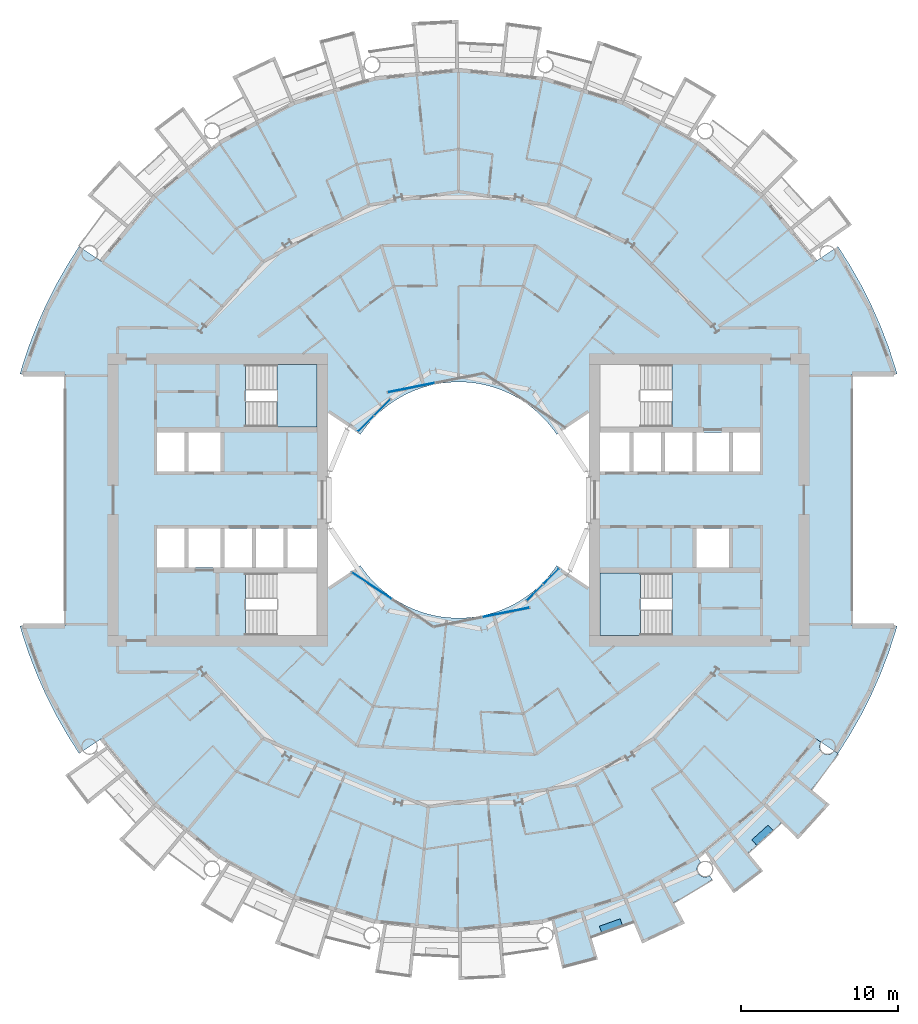
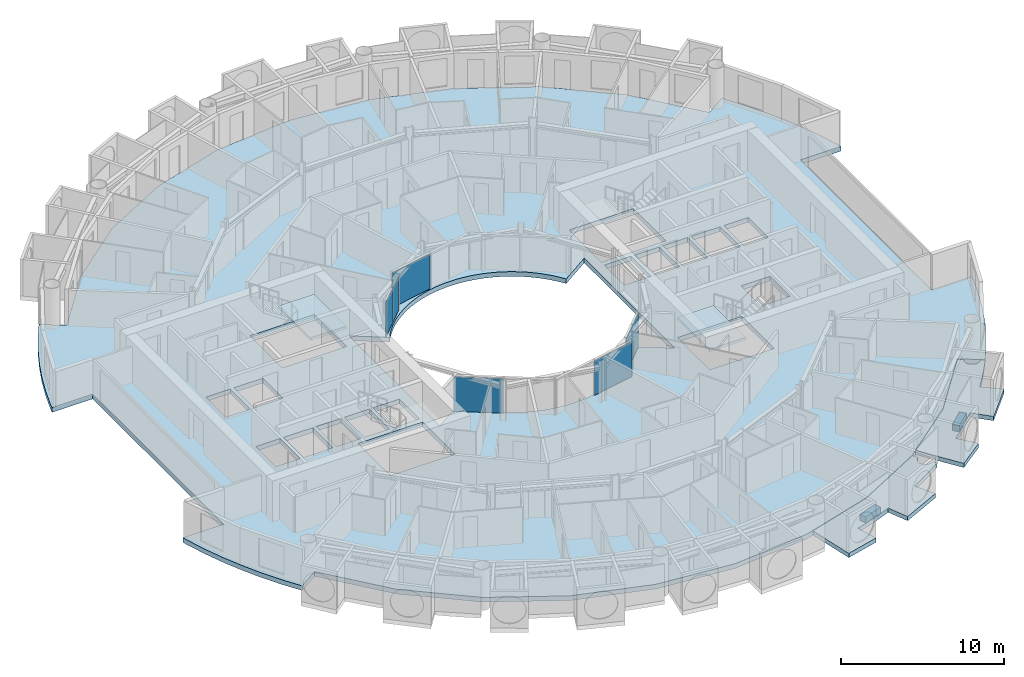
# One storey, part 10 of 26: 7 plates, 7 slabs, 7 elements without a shape of their own.
"""IFC4 building model written with IfcOpenShell, lengths in metres."""

from ifc_helpers import new_model, si_unit, direction, frame, origin, origin_2d, place, context, subcontext, project, spatial, polyline, rectangle, outline, extrude, material, layer, layer_set, type_object, element, aggregate, save


model = new_model("IFC4")

# Units and contexts
model_context = context("Model", 3, precision=1e-05, world=origin(), true_north=direction((0.0, 1.0)))
body_context = subcontext(model_context, "Body", "Model", "MODEL_VIEW")
ifc_project = project(units=[si_unit("LENGTHUNIT", "METRE"), si_unit("AREAUNIT", "SQUARE_METRE"), si_unit("VOLUMEUNIT", "CUBIC_METRE"), si_unit("PLANEANGLEUNIT", "RADIAN"), si_unit("MASSUNIT", "GRAM", prefix="KILO")], contexts=[model_context])

# Site, building, storey
site_placement = place(None, origin())
site = spatial("IfcSite", under=ifc_project, at=site_placement, CompositionType="ELEMENT")
building_placement = place(site_placement, origin())
building = spatial("IfcBuilding", under=site, at=building_placement, Name="Maasbend Ring Residences", CompositionType="ELEMENT")
storey_placement = place(building_placement, frame((0.0, 0.0, 78.85009765625)))
storey = spatial("IfcBuildingStorey", under=building, at=storey_placement, Name="L22", CompositionType="ELEMENT", Elevation=78.85009765625)

# Stair, slab
ifc_material_1 = material(Name="Concrete C40/50", Category="concrete")
stair_type = type_object("IfcStairType", Name="CORE STAIR 18 RISERS", PredefinedType="HALF_TURN_STAIR", material=ifc_material_1)
stair_1_placement = place(storey_placement, origin())
stair_1 = element("IfcStair", 1, at=stair_1_placement, inside=storey, type_object=stair_type, Name="L22 Exit stair ST-E2", PredefinedType="HALF_TURN_STAIR")
ifc_material_2 = material(Name="Concrete C40/50", Category="concrete")
ifc_layer_1 = layer(ifc_material_2, 0.199951171875)
ifc_layer_set_1 = layer_set([ifc_layer_1], Name="Concrete C40/50")
slab_type_1 = type_object("IfcSlabType", Name="CORE STAIR LANDING 200", PredefinedType="LANDING", material=ifc_layer_set_1)
slab_1_placement = place(storey_placement, frame((0.0, 0.0, 1.324951171875)))
slab_1 = element("IfcSlab", 2, at=slab_1_placement, type_object=slab_type_1, Name="ST-E2 landing 1", PredefinedType="LANDING", context=body_context, shape_type="SweptSolid", body=[
    extrude(outline(polyline([(11.550048828125, -4.64990234375), (9.0, -4.64990234375), (9.0, -8.60009765625), (11.550048828125, -8.60009765625), (11.550048828125, -4.64990234375)])), origin(), (0.0, 0.0, 1.0), 0.199951171875),
])
aggregate(stair_1, [slab_1])

stair_2_placement = place(storey_placement, origin())
stair_2 = element("IfcStair", 3, at=stair_2_placement, inside=storey, type_object=stair_type, Name="L22 Exit stair ST-W2", PredefinedType="HALF_TURN_STAIR")
slab_2_placement = place(storey_placement, frame((0.0, 0.0, 1.324951171875)))
slab_2 = element("IfcSlab", 4, at=slab_2_placement, type_object=slab_type_1, Name="ST-W2 landing 1", PredefinedType="LANDING", context=body_context, shape_type="SweptSolid", body=[
    extrude(outline(polyline([(-11.550048828125, 4.64990234375), (-9.0, 4.64990234375), (-9.0, 8.60009765625), (-11.550048828125, 8.60009765625), (-11.550048828125, 4.64990234375)])), origin(), (0.0, 0.0, 1.0), 0.199951171875),
])
aggregate(stair_2, [slab_2])

# Curtain wall, plate
ifc_material_3 = material(Name="Aluminium and clear glass", Category="aluminium")
ifc_layer_2 = layer(ifc_material_3, 0.179931640625)
ifc_layer_set_2 = layer_set([ifc_layer_2], Name="CW-W")
curtain_wall_type = type_object("IfcCurtainWallType", Name="CW-W", PredefinedType="NOTDEFINED", material=ifc_layer_set_2)
curtain_wall_1_placement = place(storey_placement, origin())
curtain_wall_1 = element("IfcCurtainWall", 5, at=curtain_wall_1_placement, inside=storey, type_object=curtain_wall_type, Name="Well curtain wall N2", PredefinedType="NOTDEFINED")
ifc_material_4 = material(Name="Glass clear laminated", Category="glass")
ifc_layer_3 = layer(ifc_material_4, 0.031982421875)
ifc_layer_set_3 = layer_set([ifc_layer_3], Name="CWP-W")
plate_type = type_object("IfcPlateType", Name="CWP-W", PredefinedType="CURTAIN_PANEL", material=ifc_layer_set_3)
plate_1_placement = place(storey_placement, frame((-3.0078125, 7.140380859375, -0.000244140625), z_axis=(0.0, 0.0, 1.0), x_axis=(-0.980785280403, -0.195090322016, 0.0)))
plate_1 = element("IfcPlate", 6, at=plate_1_placement, type_object=plate_type, Name="Glass panel well face", PredefinedType="CURTAIN_PANEL", context=body_context, shape_type="SweptSolid", body=[
    extrude(rectangle(XDim=3.053955078125, YDim=0.031982421875, at=origin_2d()), origin(), (0.0, 0.0, 1.0), 2.580078125),
])
aggregate(curtain_wall_1, [plate_1])

# Curtain wall, plates
curtain_wall_2_placement = place(storey_placement, origin())
curtain_wall_2 = element("IfcCurtainWall", 7, at=curtain_wall_2_placement, inside=storey, type_object=curtain_wall_type, Name="Well curtain wall N3", PredefinedType="NOTDEFINED")
plate_2_placement = place(storey_placement, frame((-4.84375, 5.89013671875, -0.000244140625), z_axis=(0.0, 0.0, 1.0), x_axis=(-0.707106781187, -0.707106781187, 0.0)))
plate_2 = element("IfcPlate", 8, at=plate_2_placement, type_object=plate_type, Name="Glass panel well face", PredefinedType="CURTAIN_PANEL", context=body_context, shape_type="SweptSolid", body=[
    extrude(rectangle(XDim=1.419677734375, YDim=0.031982421875, at=origin_2d()), origin(), (0.0, 0.0, 1.0), 2.580078125),
])
plate_3_placement = place(storey_placement, frame((-5.89013671875, 4.84375, -0.000244140625), z_axis=(0.0, 0.0, 1.0), x_axis=(-0.707106781187, -0.707106781187, 0.0)))
plate_3 = element("IfcPlate", 9, at=plate_3_placement, type_object=plate_type, Name="Glass panel well face", PredefinedType="CURTAIN_PANEL", context=body_context, shape_type="SweptSolid", body=[
    extrude(rectangle(XDim=1.419677734375, YDim=0.031982421875, at=origin_2d()), origin(), (0.0, 0.0, 1.0), 2.580078125),
])
aggregate(curtain_wall_2, [plate_2, plate_3])

# Curtain wall, plate
curtain_wall_3_placement = place(storey_placement, origin())
curtain_wall_3 = element("IfcCurtainWall", 10, at=curtain_wall_3_placement, inside=storey, type_object=curtain_wall_type, Name="Well curtain wall S1", PredefinedType="NOTDEFINED")
plate_4_placement = place(storey_placement, frame((-5.51123046875, -5.44580078125, -0.000244140625), z_axis=(0.0, 0.0, 1.0), x_axis=(0.831469612303, -0.55557023302, 0.0)))
plate_4 = element("IfcPlate", 11, at=plate_4_placement, type_object=plate_type, Name="Glass panel well face", PredefinedType="CURTAIN_PANEL", context=body_context, shape_type="SweptSolid", body=[
    extrude(rectangle(XDim=3.053955078125, YDim=0.031982421875, at=origin_2d()), origin(), (0.0, 0.0, 1.0), 2.580078125),
])
aggregate(curtain_wall_3, [plate_4])

curtain_wall_4_placement = place(storey_placement, origin())
curtain_wall_4 = element("IfcCurtainWall", 12, at=curtain_wall_4_placement, inside=storey, type_object=curtain_wall_type, Name="Well curtain wall S2", PredefinedType="NOTDEFINED")
plate_5_placement = place(storey_placement, frame((3.0078125, -7.140380859375, -0.000244140625), z_axis=(0.0, 0.0, 1.0), x_axis=(0.980785280403, 0.195090322016, 0.0)))
plate_5 = element("IfcPlate", 13, at=plate_5_placement, type_object=plate_type, Name="Glass panel well face", PredefinedType="CURTAIN_PANEL", context=body_context, shape_type="SweptSolid", body=[
    extrude(rectangle(XDim=3.053955078125, YDim=0.031982421875, at=origin_2d()), origin(), (0.0, 0.0, 1.0), 2.580078125),
])
aggregate(curtain_wall_4, [plate_5])

# Curtain wall, plates
curtain_wall_5_placement = place(storey_placement, origin())
curtain_wall_5 = element("IfcCurtainWall", 14, at=curtain_wall_5_placement, inside=storey, type_object=curtain_wall_type, Name="Well curtain wall S3", PredefinedType="NOTDEFINED")
plate_6_placement = place(storey_placement, frame((4.84375, -5.89013671875, -0.000244140625), z_axis=(0.0, 0.0, 1.0), x_axis=(0.707106781187, 0.707106781187, 0.0)))
plate_6 = element("IfcPlate", 15, at=plate_6_placement, type_object=plate_type, Name="Glass panel well face", PredefinedType="CURTAIN_PANEL", context=body_context, shape_type="SweptSolid", body=[
    extrude(rectangle(XDim=1.419677734375, YDim=0.031982421875, at=origin_2d()), origin(), (0.0, 0.0, 1.0), 2.580078125),
])
plate_7_placement = place(storey_placement, frame((5.89013671875, -4.84375, -0.000244140625), z_axis=(0.0, 0.0, 1.0), x_axis=(0.707106781187, 0.707106781187, 0.0)))
plate_7 = element("IfcPlate", 16, at=plate_7_placement, type_object=plate_type, Name="Glass panel well face", PredefinedType="CURTAIN_PANEL", context=body_context, shape_type="SweptSolid", body=[
    extrude(rectangle(XDim=1.419677734375, YDim=0.031982421875, at=origin_2d()), origin(), (0.0, 0.0, 1.0), 2.580078125),
])
aggregate(curtain_wall_5, [plate_6, plate_7])

# Slabs
ifc_material_5 = material(Name="Planting with climbing greenery")
ifc_layer_4 = layer(ifc_material_5, 0.449951171875)
ifc_layer_set_4 = layer_set([ifc_layer_4], Name="PLANTER-LG")
slab_type_2 = type_object("IfcSlabType", Name="PLANTER-LG", PredefinedType="USERDEFINED", material=ifc_layer_set_4)
slab_3_placement = place(storey_placement, frame((0.0, 0.0, -0.030029296875)))
element("IfcSlab", 17, at=slab_3_placement, inside=storey, type_object=slab_type_2, Name="Planter with climbing greenery 4", ObjectType="PLANTER", PredefinedType="USERDEFINED", context=body_context, shape_type="SweptSolid", body=[
    extrude(outline(polyline([(9.09912109375, -27.508056640625), (10.4169921875, -27.035888671875), (10.26611328125, -26.612060546875), (8.947021484375, -27.083984375), (9.09912109375, -27.508056640625)])), origin(), (0.0, 0.0, 1.0), 0.449951171875),
])
slab_4_placement = place(storey_placement, frame((0.0, 0.0, -0.030029296875)))
element("IfcSlab", 18, at=slab_4_placement, inside=storey, type_object=slab_type_2, Name="Planter with climbing greenery 5", ObjectType="PLANTER", PredefinedType="USERDEFINED", context=body_context, shape_type="SweptSolid", body=[
    extrude(outline(polyline([(18.93310546875, -21.931884765625), (19.969970703125, -20.991943359375), (19.66796875, -20.657958984375), (18.631103515625, -21.597900390625), (18.93310546875, -21.931884765625)])), origin(), (0.0, 0.0, 1.0), 0.449951171875),
])
ifc_material_6 = material(Name="Concrete C40/50", Category="concrete")
ifc_layer_5 = layer(ifc_material_6, 0.35009765625)
ifc_layer_set_5 = layer_set([ifc_layer_5], Name="Concrete C40/50")
slab_type_3 = type_object("IfcSlabType", Name="Post-tensioned flat plate 350", PredefinedType="FLOOR", material=ifc_layer_set_5)
slab_5_placement = place(storey_placement, frame((0.0, 0.0, -0.35009765625)))
element("IfcSlab", 19, at=slab_5_placement, inside=storey, type_object=slab_type_3, Name="Floor slab L22", PredefinedType="FLOOR", context=body_context, shape_type="SweptSolid", body=[
    extrude(outline(polyline([(24.8740234375, -14.908935546875), (25.57568359375, -13.67041015625), (26.2158203125, -12.399169921875), (26.79248046875, -11.097900390625), (27.3046875, -9.769775390625), (27.751220703125, -8.418212890625), (27.866943359375, -8.0), (25.0, -8.0), (25.0, 8.0), (27.866943359375, 8.0), (27.751220703125, 8.418212890625), (27.3046875, 9.769775390625), (26.79248046875, 11.097900390625), (26.2158203125, 12.399169921875), (25.57568359375, 13.67041015625), (24.8740234375, 14.908935546875), (24.112548828125, 16.111572265625), (22.69921875, 15.1669921875), (19.303955078125, 19.303955078125), (15.1669921875, 22.69921875), (10.447265625, 25.221923828125), (5.325927734375, 26.775390625), (0.0, 27.300048828125), (-5.325927734375, 26.775390625), (-10.447265625, 25.221923828125), (-15.1669921875, 22.69921875), (-19.303955078125, 19.303955078125), (-22.69921875, 15.1669921875), (-24.112548828125, 16.111572265625), (-24.8740234375, 14.908935546875), (-25.57568359375, 13.67041015625), (-26.2158203125, 12.399169921875), (-26.79248046875, 11.097900390625), (-27.3046875, 9.769775390625), (-27.751220703125, 8.418212890625), (-27.866943359375, 8.0), (-25.0, 8.0), (-25.0, -8.0), (-27.866943359375, -8.0), (-27.751220703125, -8.418212890625), (-27.3046875, -9.769775390625), (-26.79248046875, -11.097900390625), (-26.2158203125, -12.399169921875), (-25.57568359375, -13.67041015625), (-24.8740234375, -14.908935546875), (-24.112548828125, -16.111572265625), (-22.69921875, -15.1669921875), (-19.303955078125, -19.303955078125), (-15.1669921875, -22.69921875), (-10.447265625, -25.221923828125), (-5.325927734375, -26.775390625), (0.0, -27.300048828125), (5.325927734375, -26.775390625), (10.447265625, -25.221923828125), (15.1669921875, -22.69921875), (19.303955078125, -19.303955078125), (22.69921875, -15.1669921875), (24.112548828125, -16.111572265625), (24.8740234375, -14.908935546875)]), holes=[polyline([(17.425048828125, 4.27490234375), (19.14990234375, 4.27490234375), (19.14990234375, 1.824951171875), (17.425048828125, 1.824951171875), (17.425048828125, 4.27490234375)]), polyline([(15.125, 1.824951171875), (15.125, 4.27490234375), (17.175048828125, 4.27490234375), (17.175048828125, 1.824951171875), (15.125, 1.824951171875)]), polyline([(15.125, -4.27490234375), (15.125, -1.824951171875), (17.175048828125, -1.824951171875), (17.175048828125, -4.27490234375), (15.125, -4.27490234375)]), polyline([(13.125, 1.824951171875), (13.125, 4.27490234375), (14.875, 4.27490234375), (14.875, 1.824951171875), (13.125, 1.824951171875)]), polyline([(13.550048828125, 4.64990234375), (9.0, 4.64990234375), (9.0, 8.60009765625), (13.550048828125, 8.60009765625), (13.550048828125, 4.64990234375)]), polyline([(13.550048828125, -4.64990234375), (13.550048828125, -8.60009765625), (9.0, -8.60009765625), (9.0, -4.64990234375), (13.550048828125, -4.64990234375)]), polyline([(11.125, 1.824951171875), (11.125, 4.27490234375), (12.875, 4.27490234375), (12.875, 1.824951171875), (11.125, 1.824951171875)]), polyline([(9.0, 1.824951171875), (9.0, 4.27490234375), (10.875, 4.27490234375), (10.875, 1.824951171875), (9.0, 1.824951171875)]), polyline([(6.024169921875, 4.4677734375), (6.236083984375, 4.166748046875), (8.300048828125, 5.5458984375), (8.300048828125, -5.5458984375), (6.236083984375, -4.166748046875), (6.024169921875, -4.4677734375), (5.797607421875, -4.7578125), (5.55712890625, -5.03662109375), (5.30322265625, -5.30322265625), (5.03662109375, -5.55712890625), (4.7578125, -5.797607421875), (4.4677734375, -6.024169921875), (4.166748046875, -6.236083984375), (3.855712890625, -6.43310546875), (3.535400390625, -6.614501953125), (3.206787109375, -6.77978515625), (2.8701171875, -6.92919921875), (2.526611328125, -7.0615234375), (2.177001953125, -7.177001953125), (1.822509765625, -7.275146484375), (1.463134765625, -7.35595703125), (1.1005859375, -7.418701171875), (0.735107421875, -7.4638671875), (0.367919921875, -7.490966796875), (0.0, -7.5), (-0.367919921875, -7.490966796875), (-0.735107421875, -7.4638671875), (-1.1005859375, -7.418701171875), (-1.463134765625, -7.35595703125), (-1.822509765625, -7.275146484375), (-2.177001953125, -7.177001953125), (-2.526611328125, -7.0615234375), (-2.8701171875, -6.92919921875), (-3.206787109375, -6.77978515625), (-3.535400390625, -6.614501953125), (-3.855712890625, -6.43310546875), (-4.166748046875, -6.236083984375), (-4.4677734375, -6.024169921875), (-4.7578125, -5.797607421875), (-5.03662109375, -5.55712890625), (-5.30322265625, -5.30322265625), (-5.55712890625, -5.03662109375), (-5.797607421875, -4.7578125), (-6.024169921875, -4.4677734375), (-6.236083984375, -4.166748046875), (-8.300048828125, -5.5458984375), (-8.300048828125, 5.5458984375), (-6.236083984375, 4.166748046875), (-6.236083984375, 4.166748046875), (-6.024169921875, 4.4677734375), (-5.797607421875, 4.7578125), (-5.55712890625, 5.03662109375), (-5.30322265625, 5.30322265625), (-5.03662109375, 5.55712890625), (-4.7578125, 5.797607421875), (-4.4677734375, 6.024169921875), (-4.166748046875, 6.236083984375), (-3.855712890625, 6.43310546875), (-3.535400390625, 6.614501953125), (-3.206787109375, 6.77978515625), (-2.8701171875, 6.92919921875), (-2.526611328125, 7.0615234375), (-2.177001953125, 7.177001953125), (-1.822509765625, 7.275146484375), (-1.463134765625, 7.35595703125), (-1.1005859375, 7.418701171875), (-0.735107421875, 7.4638671875), (-0.367919921875, 7.490966796875), (0.0, 7.5), (0.367919921875, 7.490966796875), (0.735107421875, 7.4638671875), (1.1005859375, 7.418701171875), (1.463134765625, 7.35595703125), (1.822509765625, 7.275146484375), (2.177001953125, 7.177001953125), (2.526611328125, 7.0615234375), (2.8701171875, 6.92919921875), (3.206787109375, 6.77978515625), (3.535400390625, 6.614501953125), (3.855712890625, 6.43310546875), (4.166748046875, 6.236083984375), (4.4677734375, 6.024169921875), (4.7578125, 5.797607421875), (5.03662109375, 5.55712890625), (5.30322265625, 5.30322265625), (5.55712890625, 5.03662109375), (5.797607421875, 4.7578125), (6.024169921875, 4.4677734375)]), polyline([(-13.550048828125, 4.64990234375), (-13.550048828125, 8.60009765625), (-9.0, 8.60009765625), (-9.0, 4.64990234375), (-13.550048828125, 4.64990234375)]), polyline([(-13.550048828125, -8.60009765625), (-13.550048828125, -4.64990234375), (-9.0, -4.64990234375), (-9.0, -8.60009765625), (-13.550048828125, -8.60009765625)]), polyline([(-9.0, -1.824951171875), (-9.0, -4.27490234375), (-10.875, -4.27490234375), (-10.875, -1.824951171875), (-9.0, -1.824951171875)]), polyline([(-11.125, -1.824951171875), (-11.125, -4.27490234375), (-12.875, -4.27490234375), (-12.875, -1.824951171875), (-11.125, -1.824951171875)]), polyline([(-13.125, -1.824951171875), (-13.125, -4.27490234375), (-14.875, -4.27490234375), (-14.875, -1.824951171875), (-13.125, -1.824951171875)]), polyline([(-15.125, 4.27490234375), (-15.125, 1.824951171875), (-17.175048828125, 1.824951171875), (-17.175048828125, 4.27490234375), (-15.125, 4.27490234375)]), polyline([(-15.125, -1.824951171875), (-15.125, -4.27490234375), (-17.175048828125, -4.27490234375), (-17.175048828125, -1.824951171875), (-15.125, -1.824951171875)]), polyline([(-17.425048828125, -1.824951171875), (-17.425048828125, -4.27490234375), (-19.14990234375, -4.27490234375), (-19.14990234375, -1.824951171875), (-17.425048828125, -1.824951171875)]), polyline([(-17.425048828125, 4.27490234375), (-17.425048828125, 1.824951171875), (-19.14990234375, 1.824951171875), (-19.14990234375, 4.27490234375), (-17.425048828125, 4.27490234375)])]), origin(), (0.0, 0.0, 1.0), 0.35009765625),
])
ifc_material_7 = material(Name="Concrete C40/50", Category="concrete")
ifc_layer_6 = layer(ifc_material_7, 0.199951171875)
ifc_layer_set_6 = layer_set([ifc_layer_6], Name="Concrete C40/50")
slab_type_4 = type_object("IfcSlabType", Name="SL-LOGGIA", PredefinedType="FLOOR", material=ifc_layer_set_6)
slab_6_placement = place(storey_placement, frame((0.0, 0.0, -0.35009765625)))
element("IfcSlab", 20, at=slab_6_placement, inside=storey, type_object=slab_type_4, Name="Loggia floor 1", PredefinedType="FLOOR", context=body_context, shape_type="SweptSolid", body=[
    extrude(outline(polyline([(10.447021484375, -25.221923828125), (12.806884765625, -23.9609375), (15.1669921875, -22.698974609375), (15.1669921875, -22.698974609375), (15.1669921875, -22.698974609375), (15.385009765625, -23.02490234375), (15.375, -23.031982421875), (15.364013671875, -23.0390625), (15.35498046875, -23.047119140625), (15.344970703125, -23.054931640625), (15.3349609375, -23.06298828125), (15.325927734375, -23.071044921875), (15.31689453125, -23.0791015625), (15.30810546875, -23.087890625), (15.299072265625, -23.096923828125), (15.291015625, -23.10595703125), (15.281982421875, -23.115966796875), (15.27392578125, -23.125), (15.26708984375, -23.135009765625), (15.259033203125, -23.14501953125), (15.251953125, -23.155029296875), (15.2451171875, -23.1650390625), (15.238037109375, -23.176025390625), (15.23095703125, -23.18603515625), (15.22509765625, -23.197021484375), (15.218994140625, -23.2080078125), (15.212890625, -23.218994140625), (15.2080078125, -23.22998046875), (15.202880859375, -23.241943359375), (15.197998046875, -23.2529296875), (15.193115234375, -23.264892578125), (15.18896484375, -23.27587890625), (15.18505859375, -23.2880859375), (15.180908203125, -23.300048828125), (15.177978515625, -23.31201171875), (15.174072265625, -23.323974609375), (15.1708984375, -23.3359375), (15.1689453125, -23.347900390625), (15.1669921875, -23.361083984375), (15.1650390625, -23.373046875), (15.1630859375, -23.385009765625), (15.162109375, -23.39794921875), (15.159912109375, -23.409912109375), (15.159912109375, -23.422119140625), (15.158935546875, -23.43505859375), (15.158935546875, -23.447021484375), (15.158935546875, -23.4599609375), (15.159912109375, -23.471923828125), (15.159912109375, -23.485107421875), (15.162109375, -23.4970703125), (15.1630859375, -23.510009765625), (15.1650390625, -23.52197265625), (15.1669921875, -23.533935546875), (15.1689453125, -23.547119140625), (15.1708984375, -23.55908203125), (15.174072265625, -23.571044921875), (15.177978515625, -23.5830078125), (15.180908203125, -23.594970703125), (15.18505859375, -23.60693359375), (15.18896484375, -23.618896484375), (15.193115234375, -23.6298828125), (15.197998046875, -23.64208984375), (15.202880859375, -23.653076171875), (15.2080078125, -23.6650390625), (15.212890625, -23.676025390625), (15.218994140625, -23.68701171875), (15.22509765625, -23.697998046875), (15.23095703125, -23.708984375), (15.238037109375, -23.718994140625), (15.2451171875, -23.72998046875), (15.251953125, -23.739990234375), (15.259033203125, -23.75), (15.26708984375, -23.760009765625), (15.27392578125, -23.77001953125), (15.281982421875, -23.779052734375), (15.291015625, -23.7890625), (15.299072265625, -23.798095703125), (15.30810546875, -23.806884765625), (15.31689453125, -23.81494140625), (15.325927734375, -23.823974609375), (15.3349609375, -23.83203125), (15.344970703125, -23.840087890625), (15.35498046875, -23.847900390625), (15.364013671875, -23.85498046875), (15.375, -23.863037109375), (15.385009765625, -23.8701171875), (15.39501953125, -23.876953125), (15.406005859375, -23.883056640625), (15.4169921875, -23.888916015625), (15.427978515625, -23.89501953125), (15.43896484375, -23.90087890625), (15.449951171875, -23.906982421875), (15.4609375, -23.912109375), (15.472900390625, -23.9169921875), (15.48388671875, -23.9208984375), (15.49609375, -23.926025390625), (15.508056640625, -23.929931640625), (15.52001953125, -23.93408203125), (15.531982421875, -23.93701171875), (15.5439453125, -23.93994140625), (15.555908203125, -23.943115234375), (15.568115234375, -23.946044921875), (15.580078125, -23.947998046875), (15.593017578125, -23.949951171875), (15.60498046875, -23.951904296875), (15.616943359375, -23.952880859375), (15.6298828125, -23.9541015625), (15.64208984375, -23.955078125), (15.655029296875, -23.955078125), (15.6669921875, -23.955078125), (15.679931640625, -23.955078125), (15.69189453125, -23.955078125), (15.7041015625, -23.9541015625), (15.717041015625, -23.952880859375), (15.72900390625, -23.951904296875), (15.741943359375, -23.949951171875), (15.75390625, -23.947998046875), (15.76611328125, -23.946044921875), (15.778076171875, -23.943115234375), (15.791015625, -23.93994140625), (15.802978515625, -23.93701171875), (15.81494140625, -23.93408203125), (15.825927734375, -23.929931640625), (15.837890625, -23.926025390625), (15.85009765625, -23.9208984375), (15.862060546875, -23.9169921875), (15.873046875, -23.912109375), (15.884033203125, -23.906982421875), (15.89599609375, -23.90087890625), (15.906982421875, -23.89501953125), (15.9169921875, -23.888916015625), (15.927978515625, -23.883056640625), (15.93896484375, -23.876953125), (15.948974609375, -23.8701171875), (16.112060546875, -24.113037109375), (16.112060546875, -24.113037109375), (16.112060546875, -24.113037109375), (15.31396484375, -24.626953125), (15.31396484375, -24.626953125), (14.5, -25.114990234375), (14.5, -25.114990234375), (13.6708984375, -25.574951171875), (13.6708984375, -25.575927734375), (13.6708984375, -25.575927734375), (13.6708984375, -25.575927734375), (13.6708984375, -25.575927734375), (13.6708984375, -25.575927734375), (13.6708984375, -25.575927734375), (13.6708984375, -25.575927734375), (13.6708984375, -25.575927734375), (13.6708984375, -25.575927734375), (13.6708984375, -25.575927734375), (13.6708984375, -25.575927734375), (13.6708984375, -25.575927734375), (13.6708984375, -25.575927734375), (13.6708984375, -25.575927734375), (13.6708984375, -25.575927734375), (13.6708984375, -25.575927734375), (14.3779296875, -26.89892578125), (14.3779296875, -26.89892578125), (14.3779296875, -26.89892578125), (11.672119140625, -28.177978515625), (11.672119140625, -28.177978515625), (11.672119140625, -28.177978515625), (11.097900390625, -26.79296875), (11.097900390625, -26.79296875), (11.097900390625, -26.79296875), (11.097900390625, -26.79296875), (11.097900390625, -26.79296875), (11.097900390625, -26.79296875), (11.097900390625, -26.79296875), (11.097900390625, -26.79296875), (11.097900390625, -26.79296875), (11.097900390625, -26.79296875), (11.097900390625, -26.79296875), (11.097900390625, -26.79296875), (11.097900390625, -26.79296875), (11.097900390625, -26.79296875), (11.096923828125, -26.79296875), (11.096923828125, -26.79296875), (11.096923828125, -26.79296875), (10.215087890625, -27.14111328125), (10.215087890625, -27.14111328125), (9.322021484375, -27.4609375), (9.322021484375, -27.4609375), (8.4189453125, -27.7509765625), (8.4189453125, -27.7509765625), (8.4189453125, -27.7509765625), (8.4189453125, -27.7509765625), (8.4189453125, -27.7509765625), (8.4189453125, -27.7509765625), (8.41796875, -27.7509765625), (8.41796875, -27.7509765625), (8.41796875, -27.7509765625), (8.41796875, -27.7509765625), (8.41796875, -27.7509765625), (8.41796875, -27.751953125), (8.41796875, -27.751953125), (8.41796875, -27.751953125), (8.41796875, -27.751953125), (8.41796875, -27.751953125), (8.41796875, -27.751953125), (8.85400390625, -29.18701171875), (8.85400390625, -29.18701171875), (8.85400390625, -29.18701171875), (6.593994140625, -29.779052734375), (6.593994140625, -29.779052734375), (6.593994140625, -29.779052734375), (5.89111328125, -26.60400390625), (5.89111328125, -26.60400390625), (5.89111328125, -26.60400390625), (7.886962890625, -25.9990234375), (10.447021484375, -25.221923828125), (10.447021484375, -25.221923828125), (10.447021484375, -25.221923828125)])), origin(), (0.0, 0.0, 1.0), 0.320068359375),
])
slab_7_placement = place(storey_placement, frame((0.0, 0.0, -0.35009765625)))
element("IfcSlab", 21, at=slab_7_placement, inside=storey, type_object=slab_type_4, Name="Loggia floor 4", PredefinedType="FLOOR", context=body_context, shape_type="SweptSolid", body=[
    extrude(outline(polyline([(19.303955078125, -19.303955078125), (21.001953125, -17.236083984375), (22.698974609375, -15.1669921875), (22.698974609375, -15.1669921875), (22.698974609375, -15.1669921875), (23.02490234375, -15.385009765625), (23.02490234375, -15.385009765625), (23.01806640625, -15.39501953125), (23.011962890625, -15.406005859375), (23.0048828125, -15.4169921875), (22.9990234375, -15.427978515625), (22.993896484375, -15.43896484375), (22.988037109375, -15.449951171875), (22.98291015625, -15.4609375), (22.97802734375, -15.472900390625), (22.972900390625, -15.48388671875), (22.968994140625, -15.49609375), (22.965087890625, -15.508056640625), (22.9609375, -15.52001953125), (22.9580078125, -15.531982421875), (22.955078125, -15.5439453125), (22.951904296875, -15.555908203125), (22.948974609375, -15.568115234375), (22.947021484375, -15.580078125), (22.945068359375, -15.593017578125), (22.943115234375, -15.60498046875), (22.94189453125, -15.616943359375), (22.94091796875, -15.6298828125), (22.93994140625, -15.64208984375), (22.93994140625, -15.655029296875), (22.93896484375, -15.6669921875), (22.93994140625, -15.679931640625), (22.93994140625, -15.69189453125), (22.94091796875, -15.7041015625), (22.94189453125, -15.717041015625), (22.943115234375, -15.72900390625), (22.945068359375, -15.741943359375), (22.947021484375, -15.75390625), (22.948974609375, -15.76611328125), (22.951904296875, -15.778076171875), (22.955078125, -15.791015625), (22.9580078125, -15.802978515625), (22.9609375, -15.81494140625), (22.965087890625, -15.825927734375), (22.968994140625, -15.837890625), (22.972900390625, -15.85009765625), (22.97802734375, -15.862060546875), (22.98291015625, -15.873046875), (22.988037109375, -15.884033203125), (22.993896484375, -15.89599609375), (22.9990234375, -15.906982421875), (23.0048828125, -15.9169921875), (23.011962890625, -15.927978515625), (23.01806640625, -15.93896484375), (23.02490234375, -15.948974609375), (23.031982421875, -15.9599609375), (23.0390625, -15.969970703125), (23.047119140625, -15.97998046875), (23.054931640625, -15.989013671875), (23.06298828125, -15.9990234375), (23.071044921875, -16.008056640625), (23.0791015625, -16.01708984375), (23.087890625, -16.02587890625), (23.096923828125, -16.034912109375), (23.10595703125, -16.0439453125), (23.115966796875, -16.052001953125), (23.125, -16.06005859375), (23.135009765625, -16.068115234375), (23.14501953125, -16.074951171875), (23.155029296875, -16.08203125), (23.1650390625, -16.089111328125), (23.176025390625, -16.095947265625), (23.18603515625, -16.10302734375), (23.197021484375, -16.10888671875), (23.2080078125, -16.114990234375), (23.218994140625, -16.12109375), (23.22998046875, -16.1259765625), (23.241943359375, -16.132080078125), (23.2529296875, -16.135986328125), (23.264892578125, -16.14111328125), (23.27587890625, -16.14501953125), (23.2880859375, -16.14892578125), (23.300048828125, -16.153076171875), (23.31201171875, -16.156982421875), (23.323974609375, -16.159912109375), (23.3359375, -16.1630859375), (23.347900390625, -16.1650390625), (23.361083984375, -16.16796875), (23.373046875, -16.169921875), (23.385009765625, -16.1708984375), (23.39794921875, -16.173095703125), (23.409912109375, -16.174072265625), (23.422119140625, -16.174072265625), (23.43505859375, -16.175048828125), (23.447021484375, -16.175048828125), (23.4599609375, -16.175048828125), (23.471923828125, -16.174072265625), (23.485107421875, -16.174072265625), (23.4970703125, -16.173095703125), (23.510009765625, -16.1708984375), (23.52197265625, -16.169921875), (23.533935546875, -16.16796875), (23.547119140625, -16.1650390625), (23.55908203125, -16.1630859375), (23.571044921875, -16.159912109375), (23.5830078125, -16.156982421875), (23.594970703125, -16.153076171875), (23.60693359375, -16.14892578125), (23.618896484375, -16.14501953125), (23.6298828125, -16.14111328125), (23.64208984375, -16.135986328125), (23.653076171875, -16.132080078125), (23.6650390625, -16.1259765625), (23.676025390625, -16.12109375), (23.68701171875, -16.114990234375), (23.697998046875, -16.10888671875), (23.708984375, -16.10302734375), (23.718994140625, -16.095947265625), (23.72998046875, -16.089111328125), (23.739990234375, -16.08203125), (23.75, -16.074951171875), (23.760009765625, -16.068115234375), (23.77001953125, -16.06005859375), (23.779052734375, -16.052001953125), (23.7890625, -16.0439453125), (23.798095703125, -16.034912109375), (23.806884765625, -16.02587890625), (23.81494140625, -16.01708984375), (23.823974609375, -16.008056640625), (23.83203125, -15.9990234375), (23.840087890625, -15.989013671875), (23.847900390625, -15.97998046875), (23.85498046875, -15.969970703125), (23.863037109375, -15.9599609375), (23.8701171875, -15.948974609375), (23.8701171875, -15.948974609375), (24.113037109375, -16.112060546875), (24.113037109375, -16.112060546875), (24.113037109375, -16.112060546875), (23.572998046875, -16.89208984375), (23.572998046875, -16.89208984375), (23.007080078125, -17.654052734375), (23.007080078125, -17.654052734375), (22.41796875, -18.39697265625), (22.41796875, -18.39697265625), (22.41796875, -18.39697265625), (22.41796875, -18.39697265625), (22.41796875, -18.39697265625), (22.41796875, -18.39697265625), (22.41796875, -18.39697265625), (22.41796875, -18.39697265625), (22.41796875, -18.39697265625), (22.41796875, -18.39697265625), (22.41796875, -18.39697265625), (22.41796875, -18.39794921875), (22.41796875, -18.39794921875), (22.41796875, -18.39794921875), (22.41796875, -18.39794921875), (22.41796875, -18.39794921875), (22.41796875, -18.39794921875), (23.576904296875, -19.34912109375), (23.576904296875, -19.34912109375), (23.576904296875, -19.34912109375), (21.56689453125, -21.56689453125), (21.56689453125, -21.56689453125), (21.56689453125, -21.56689453125), (20.506103515625, -20.506103515625), (20.506103515625, -20.506103515625), (20.506103515625, -20.506103515625), (20.506103515625, -20.506103515625), (20.506103515625, -20.506103515625), (20.506103515625, -20.506103515625), (20.506103515625, -20.506103515625), (20.506103515625, -20.506103515625), (20.506103515625, -20.506103515625), (20.506103515625, -20.506103515625), (20.506103515625, -20.506103515625), (20.506103515625, -20.506103515625), (20.506103515625, -20.506103515625), (20.506103515625, -20.506103515625), (20.506103515625, -20.506103515625), (20.506103515625, -20.506103515625), (20.506103515625, -20.506103515625), (19.823974609375, -21.166015625), (19.823974609375, -21.166015625), (19.12109375, -21.802978515625), (19.12109375, -21.802978515625), (18.39794921875, -22.4169921875), (18.39794921875, -22.4169921875), (18.39794921875, -22.4169921875), (18.39794921875, -22.4169921875), (18.39794921875, -22.4169921875), (18.39794921875, -22.4169921875), (18.39794921875, -22.4169921875), (18.39794921875, -22.4169921875), (18.39794921875, -22.4169921875), (18.39794921875, -22.4169921875), (18.39794921875, -22.4169921875), (18.39794921875, -22.4169921875), (18.39794921875, -22.41796875), (18.39794921875, -22.41796875), (18.39794921875, -22.41796875), (18.39794921875, -22.41796875), (18.39794921875, -22.41796875), (19.34912109375, -23.576904296875), (19.34912109375, -23.576904296875), (19.34912109375, -23.576904296875), (17.488037109375, -24.989013671875), (17.488037109375, -24.989013671875), (17.488037109375, -24.989013671875), (15.623046875, -22.324951171875), (15.623046875, -22.324951171875), (15.623046875, -22.324951171875), (17.236083984375, -21.001953125), (19.303955078125, -19.303955078125), (19.303955078125, -19.303955078125), (19.303955078125, -19.303955078125)])), origin(), (0.0, 0.0, 1.0), 0.320068359375),
])

save(model, "model.ifc")
